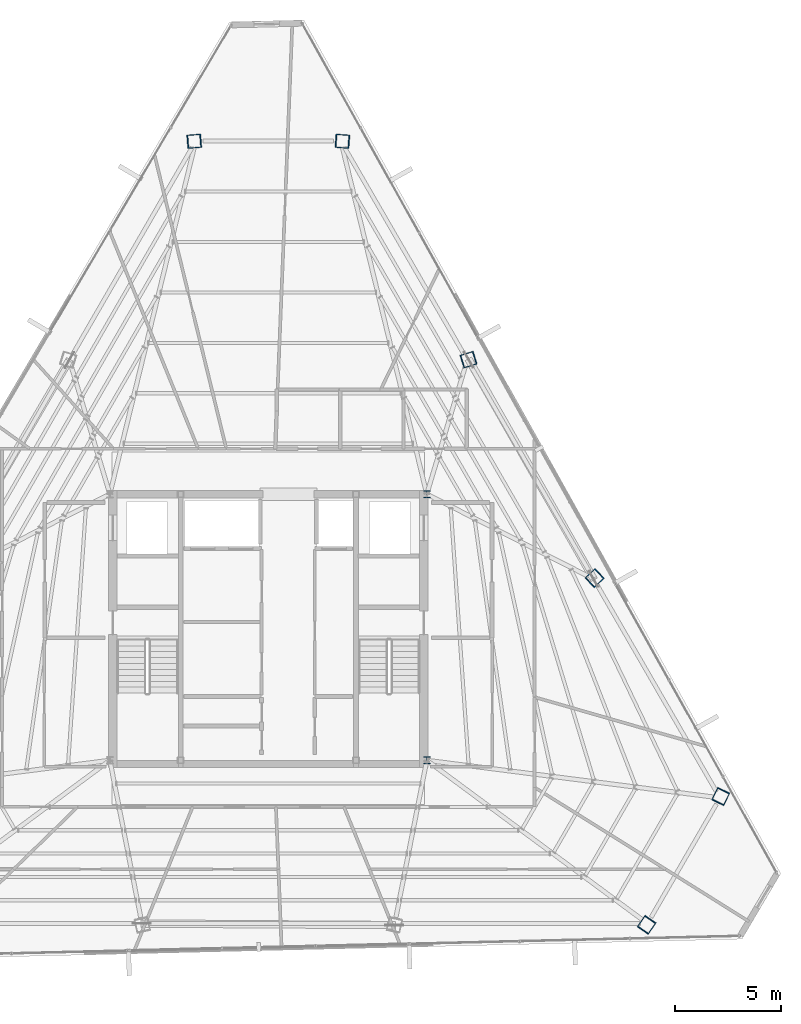
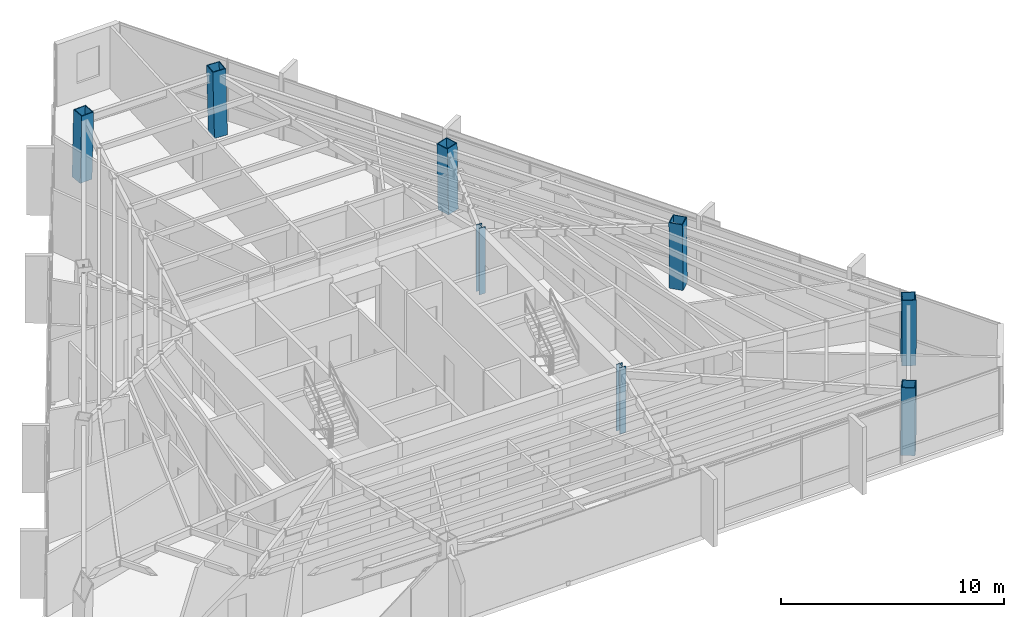
# One storey, part 2 of 48: 8 columns.
"""IFC4 building model written with IfcOpenShell, lengths in metres."""

from ifc_helpers import new_model, si_unit, direction, frame, origin, origin_2d, place, context, subcontext, project, spatial, hollow_rectangle, i_section, extrude, source, transform, mapped, material, material_profile, profile_set, type_object, type_shapes, element, save


model = new_model("IFC4")

# Units and contexts
model_context = context("Model", 3, precision=1e-05, world=origin(), true_north=direction((0.0, 1.0)))
body_context = subcontext(model_context, "Body", "Model", "MODEL_VIEW")
ifc_project = project(units=[si_unit("LENGTHUNIT", "METRE"), si_unit("AREAUNIT", "SQUARE_METRE"), si_unit("VOLUMEUNIT", "CUBIC_METRE"), si_unit("PLANEANGLEUNIT", "RADIAN"), si_unit("MASSUNIT", "GRAM", prefix="KILO")], contexts=[model_context])

# Site, building, storey
site_placement = place(None, origin())
site = spatial("IfcSite", under=ifc_project, at=site_placement, CompositionType="ELEMENT")
building_placement = place(site_placement, origin())
building = spatial("IfcBuilding", under=site, at=building_placement, Name="Caelisora Broadcast Tower", CompositionType="ELEMENT")
storey_placement = place(building_placement, frame((0.0, 0.0, 270.0)))
storey = spatial("IfcBuildingStorey", under=building, at=storey_placement, Name="L71", CompositionType="ELEMENT", Elevation=270.0)

# Columns
ifc_material_1 = material(Name="Steel Grade 350 (AS/NZS 3679.1)", Category="steel")
ifc_material_profile_1 = material_profile(ifc_material_1, i_section(OverallWidth=0.31103515625, OverallDepth=0.3271484375, WebThickness=0.015625, FlangeThickness=0.02490234375, at=origin_2d()), Name="Steel Grade 350 (AS/NZS 3679.1)")
ifc_profile_set_1 = profile_set([ifc_material_profile_1], Name="Steel Grade 350 (AS/NZS 3679.1)")
column_type_1 = type_object("IfcColumnType", Name="CC03", PredefinedType="COLUMN", material=ifc_profile_set_1)
shared_shape_1 = source(origin(), body_context, "Body", "SweptSolid", [
    extrude(i_section(OverallWidth=0.31103515625, OverallDepth=0.3271484375, WebThickness=0.015625, FlangeThickness=0.02490234375, at=origin_2d()), origin(), (0.0, 0.0, 1.0), 3.64990234375),
])
type_shapes(column_type_1, [shared_shape_1])
for number, where, z_axis, x_axis, name in (
    (1, (45.5, 17.39990234375, 0.0), (0.0, 0.0, 1.0), (1.0, 0.0, 0.0), "L71 column CC03"),
    (2, (45.5, 30.0, 0.0), (0.0, 0.0, 1.0), (1.0, 0.0, 0.0), "L71 column CC03"),
):
    element("IfcColumn", number, at=place(storey_placement, frame(where, z_axis=z_axis, x_axis=x_axis)), inside=storey, type_object=column_type_1, Name=name, PredefinedType="COLUMN", context=body_context, shape_type="MappedRepresentation", body=[
        mapped(shared_shape_1, transform((0.0, 0.0, 0.0), scale=1.0)),
    ])
ifc_material_2 = material(Name="Steel Grade 350 L15 (AS/NZS 3678)", Category="steel")
ifc_material_profile_2 = material_profile(ifc_material_2, hollow_rectangle(XDim=0.64990234375, YDim=0.64990234375, WallThickness=0.0400390625, at=origin_2d()), Name="Steel Grade 350 L15 (AS/NZS 3678)")
ifc_profile_set_2 = profile_set([ifc_material_profile_2], Name="Steel Grade 350 L15 (AS/NZS 3678)")
column_type_2 = type_object("IfcColumnType", Name="MC06", PredefinedType="COLUMN", material=ifc_profile_set_2)
shared_shape_2 = source(origin(), body_context, "Body", "SweptSolid", [
    extrude(hollow_rectangle(XDim=0.64990234375, YDim=0.64990234375, WallThickness=0.0400390625, at=origin_2d()), origin(), (0.0, 0.0, 1.0), 3.65087890625),
])
for number, where, z_axis, x_axis, name in (
    (3, (41.52099609375, 46.698486328125, 0.0), (-0.023872754168, 0.001805502416, 0.999713374808), (-0.075414875552, -0.997152243414, 0.0), "L71 column MC06"),
    (4, (34.47900390625, 46.698486328125, 0.0), (0.023872754168, 0.001805502416, 0.999713374808), (-0.075414875552, 0.997152243414, 0.0), "L71 column MC06"),
    (5, (55.89697265625, 9.601318359375, 0.0), (0.013507825582, 0.019793645407, 0.999712833893), (-0.825991119814, 0.563683129062, 0.0), "L71 column MC06"),
    (6, (59.418212890625, 15.7001953125, 0.0), (-0.010431780378, -0.021599135014, 0.999712286273), (0.900476348161, -0.434904985489, 0.0), "L71 column MC06"),
):
    element("IfcColumn", number, at=place(storey_placement, frame(where, z_axis=z_axis, x_axis=x_axis)), inside=storey, type_object=column_type_2, Name=name, PredefinedType="COLUMN", context=body_context, shape_type="MappedRepresentation", body=[
        mapped(shared_shape_2, transform((0.0, 0.0, 0.0), scale=1.0)),
    ])
shared_shape_3 = source(origin(), body_context, "Body", "SweptSolid", [
    extrude(hollow_rectangle(XDim=0.64990234375, YDim=0.64990234375, WallThickness=0.0400390625, at=origin_2d()), origin(), (0.0, 0.0, 1.0), 3.650634765625),
])
type_shapes(column_type_2, [shared_shape_2, shared_shape_3])
for number, where, z_axis, x_axis, name in (
    (7, (53.452392578125, 26.032958984375, 0.0), (-0.014913313399, -0.013776424037, 0.999793880369), (0.678553674548, -0.734550822447, 0.0), "L71 column MC06"),
    (8, (47.48681640625, 36.36572265625, 0.0), (-0.019393993486, -0.006018825565, 0.999793802119), (0.296399214872, -0.955064136811, 0.0), "L71 column MC06"),
):
    element("IfcColumn", number, at=place(storey_placement, frame(where, z_axis=z_axis, x_axis=x_axis)), inside=storey, type_object=column_type_2, Name=name, PredefinedType="COLUMN", context=body_context, shape_type="MappedRepresentation", body=[
        mapped(shared_shape_3, transform((0.0, 0.0, 0.0), scale=1.0)),
    ])

save(model, "model.ifc")
